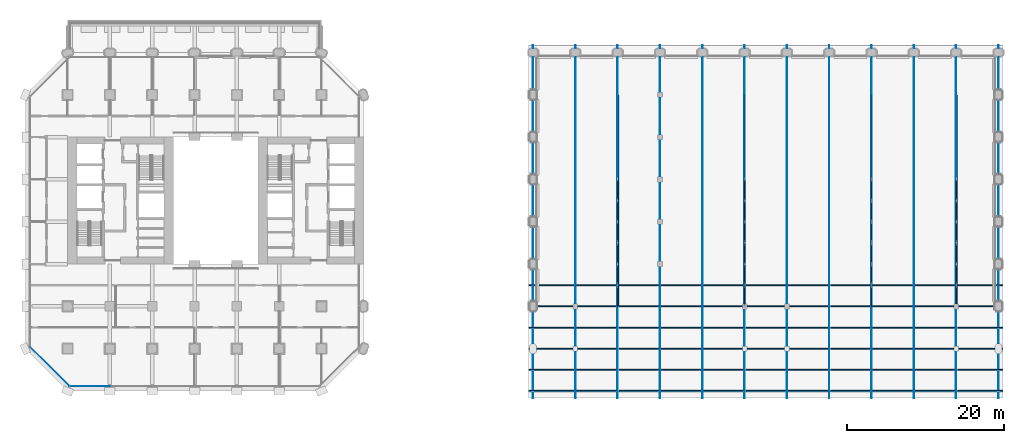
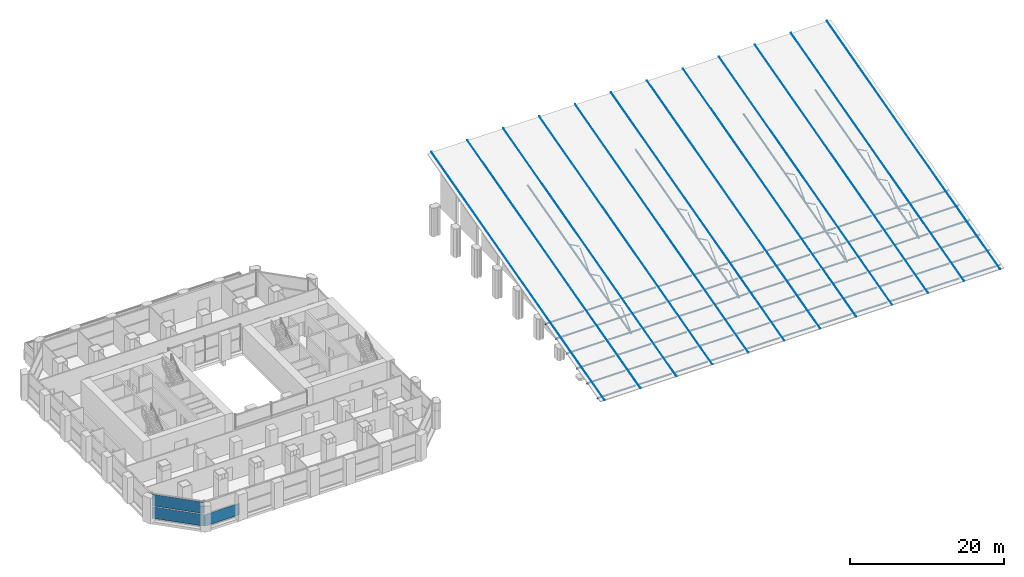
# One storey, part 10 of 23: 106 members, 3 plates, 2 elements without a shape of their own.
"""IFC4 building model written with IfcOpenShell, lengths in metres."""

from ifc_helpers import new_model, si_unit, direction, frame, origin, origin_2d, place, context, subcontext, project, spatial, rectangle, hollow_circle, i_section, extrude, material, layer, layer_set, material_profile, profile_set, type_object, element, aggregate, save


model = new_model("IFC4")

# Units and contexts
model_context = context("Model", 3, precision=1e-05, world=origin(), true_north=direction((0.0, 1.0)))
body_context = subcontext(model_context, "Body", "Model", "MODEL_VIEW")
ifc_project = project(units=[si_unit("LENGTHUNIT", "METRE"), si_unit("AREAUNIT", "SQUARE_METRE"), si_unit("VOLUMEUNIT", "CUBIC_METRE"), si_unit("PLANEANGLEUNIT", "RADIAN"), si_unit("MASSUNIT", "GRAM", prefix="KILO")], contexts=[model_context])

# Site, building, storey
site_placement = place(None, origin())
site = spatial("IfcSite", under=ifc_project, at=site_placement, CompositionType="ELEMENT")
building_placement = place(site_placement, origin())
building = spatial("IfcBuilding", under=site, at=building_placement, Name="Tabaq Tower and Sports Hall", CompositionType="ELEMENT")
storey_placement = place(building_placement, frame((0.0, 0.0, 24.60009765625)))
storey = spatial("IfcBuildingStorey", under=building, at=storey_placement, Name="L04", CompositionType="ELEMENT", Elevation=24.60009765625)

# Members
ifc_material_1 = material(Name="Steel S355", Category="steel")
ifc_material_profile_1 = material_profile(ifc_material_1, i_section(OverallWidth=0.14599609375, OverallDepth=0.25146484375, WebThickness=0.006103515625, FlangeThickness=0.008544921875, FilletRadius=0.007568359375, at=origin_2d()), Name="UB 254x146x31")
ifc_profile_set_1 = profile_set([ifc_material_profile_1], Name="Steel S355")
member_type_1 = type_object("IfcMemberType", Name="HALL PURLIN UB 254x146x31", PredefinedType="PURLIN", material=ifc_profile_set_1)
for number, where, z_axis, x_axis, name in (
    (1, (64.199951171875, 0.0, 0.314453125), (1.0, 0.0, 0.0), (0.0, 0.965925826289, 0.258819045103), "Roof purlin 13-01"),
    (2, (64.199951171875, 2.699951171875, 1.037841796875), (1.0, 0.0, 0.0), (0.0, 0.965925826289, 0.258819045103), "Roof purlin 13-02"),
    (3, (64.199951171875, 5.39990234375, 1.761474609375), (1.0, 0.0, 0.0), (0.0, 0.965925826289, 0.258819045103), "Roof purlin 13-03"),
    (4, (64.199951171875, 8.10009765625, 2.48486328125), (1.0, 0.0, 0.0), (0.0, 0.965925826289, 0.258819045103), "Roof purlin 13-04"),
    (5, (64.199951171875, 10.800048828125, 3.208251953125), (1.0, 0.0, 0.0), (0.0, 0.965925826289, 0.258819045103), "Roof purlin 13-05"),
    (6, (64.199951171875, 13.5, 3.931884765625), (1.0, 0.0, 0.0), (0.0, 0.965925826289, 0.258819045103), "Roof purlin 13-06"),
):
    element("IfcMember", number, at=place(storey_placement, frame(where, z_axis=z_axis, x_axis=x_axis)), inside=storey, type_object=member_type_1, Name=name, PredefinedType="PURLIN", context=body_context, shape_type="SweptSolid", body=[
        extrude(i_section(OverallWidth=0.14599609375, OverallDepth=0.25146484375, WebThickness=0.006103515625, FlangeThickness=0.008544921875, FilletRadius=0.007568359375, at=origin_2d()), origin(), (0.0, 0.0, 1.0), 5.85009765625),
    ])
for number, where, z_axis, x_axis, name in (
    (7, (70.35009765625, 0.0, 0.314453125), (1.0, 0.0, 0.0), (0.0, 0.965925826289, 0.258819045103), "Roof purlin 14-01"),
    (8, (70.35009765625, 2.699951171875, 1.037841796875), (1.0, 0.0, 0.0), (0.0, 0.965925826289, 0.258819045103), "Roof purlin 14-02"),
    (9, (70.35009765625, 5.39990234375, 1.761474609375), (1.0, 0.0, 0.0), (0.0, 0.965925826289, 0.258819045103), "Roof purlin 14-03"),
    (10, (70.35009765625, 8.10009765625, 2.48486328125), (1.0, 0.0, 0.0), (0.0, 0.965925826289, 0.258819045103), "Roof purlin 14-04"),
    (11, (70.35009765625, 10.800048828125, 3.208251953125), (1.0, 0.0, 0.0), (0.0, 0.965925826289, 0.258819045103), "Roof purlin 14-05"),
    (12, (70.35009765625, 13.5, 3.931884765625), (1.0, 0.0, 0.0), (0.0, 0.965925826289, 0.258819045103), "Roof purlin 14-06"),
):
    element("IfcMember", number, at=place(storey_placement, frame(where, z_axis=z_axis, x_axis=x_axis)), inside=storey, type_object=member_type_1, Name=name, PredefinedType="PURLIN", context=body_context, shape_type="SweptSolid", body=[
        extrude(i_section(OverallWidth=0.14599609375, OverallDepth=0.25146484375, WebThickness=0.006103515625, FlangeThickness=0.008544921875, FilletRadius=0.007568359375, at=origin_2d()), origin(), (0.0, 0.0, 1.0), 5.099853515625),
    ])
for number, where, z_axis, x_axis, name in (
    (13, (75.75, 0.0, 0.314453125), (1.0, 0.0, 0.0), (0.0, 0.965925826289, 0.258819045103), "Roof purlin 15-01"),
    (14, (75.75, 2.699951171875, 1.037841796875), (1.0, 0.0, 0.0), (0.0, 0.965925826289, 0.258819045103), "Roof purlin 15-02"),
    (15, (75.75, 5.39990234375, 1.761474609375), (1.0, 0.0, 0.0), (0.0, 0.965925826289, 0.258819045103), "Roof purlin 15-03"),
    (16, (75.75, 8.10009765625, 2.48486328125), (1.0, 0.0, 0.0), (0.0, 0.965925826289, 0.258819045103), "Roof purlin 15-04"),
    (17, (75.75, 10.800048828125, 3.208251953125), (1.0, 0.0, 0.0), (0.0, 0.965925826289, 0.258819045103), "Roof purlin 15-05"),
    (18, (75.75, 13.5, 3.931884765625), (1.0, 0.0, 0.0), (0.0, 0.965925826289, 0.258819045103), "Roof purlin 15-06"),
    (19, (81.14990234375, 0.0, 0.314453125), (1.0, 0.0, 0.0), (0.0, 0.965925826289, 0.258819045103), "Roof purlin 16-01"),
    (20, (81.14990234375, 2.699951171875, 1.037841796875), (1.0, 0.0, 0.0), (0.0, 0.965925826289, 0.258819045103), "Roof purlin 16-02"),
    (21, (81.14990234375, 5.39990234375, 1.761474609375), (1.0, 0.0, 0.0), (0.0, 0.965925826289, 0.258819045103), "Roof purlin 16-03"),
    (22, (81.14990234375, 8.10009765625, 2.48486328125), (1.0, 0.0, 0.0), (0.0, 0.965925826289, 0.258819045103), "Roof purlin 16-04"),
    (23, (81.14990234375, 10.800048828125, 3.208251953125), (1.0, 0.0, 0.0), (0.0, 0.965925826289, 0.258819045103), "Roof purlin 16-05"),
    (24, (81.14990234375, 13.5, 3.931884765625), (1.0, 0.0, 0.0), (0.0, 0.965925826289, 0.258819045103), "Roof purlin 16-06"),
):
    element("IfcMember", number, at=place(storey_placement, frame(where, z_axis=z_axis, x_axis=x_axis)), inside=storey, type_object=member_type_1, Name=name, PredefinedType="PURLIN", context=body_context, shape_type="SweptSolid", body=[
        extrude(i_section(OverallWidth=0.14599609375, OverallDepth=0.25146484375, WebThickness=0.006103515625, FlangeThickness=0.008544921875, FilletRadius=0.007568359375, at=origin_2d()), origin(), (0.0, 0.0, 1.0), 5.10009765625),
    ])
for number, where, z_axis, x_axis, name in (
    (25, (86.550048828125, 0.0, 0.314453125), (1.0, 0.0, 0.0), (0.0, 0.965925826289, 0.258819045103), "Roof purlin 17-01"),
    (26, (86.550048828125, 2.699951171875, 1.037841796875), (1.0, 0.0, 0.0), (0.0, 0.965925826289, 0.258819045103), "Roof purlin 17-02"),
    (27, (86.550048828125, 5.39990234375, 1.761474609375), (1.0, 0.0, 0.0), (0.0, 0.965925826289, 0.258819045103), "Roof purlin 17-03"),
    (28, (86.550048828125, 8.10009765625, 2.48486328125), (1.0, 0.0, 0.0), (0.0, 0.965925826289, 0.258819045103), "Roof purlin 17-04"),
    (29, (86.550048828125, 10.800048828125, 3.208251953125), (1.0, 0.0, 0.0), (0.0, 0.965925826289, 0.258819045103), "Roof purlin 17-05"),
    (30, (86.550048828125, 13.5, 3.931884765625), (1.0, 0.0, 0.0), (0.0, 0.965925826289, 0.258819045103), "Roof purlin 17-06"),
):
    element("IfcMember", number, at=place(storey_placement, frame(where, z_axis=z_axis, x_axis=x_axis)), inside=storey, type_object=member_type_1, Name=name, PredefinedType="PURLIN", context=body_context, shape_type="SweptSolid", body=[
        extrude(i_section(OverallWidth=0.14599609375, OverallDepth=0.25146484375, WebThickness=0.006103515625, FlangeThickness=0.008544921875, FilletRadius=0.007568359375, at=origin_2d()), origin(), (0.0, 0.0, 1.0), 5.099853515625),
    ])
for number, where, z_axis, x_axis, name in (
    (31, (91.949951171875, 0.0, 0.314453125), (1.0, 0.0, 0.0), (0.0, 0.965925826289, 0.258819045103), "Roof purlin 18-01"),
    (32, (91.949951171875, 2.699951171875, 1.037841796875), (1.0, 0.0, 0.0), (0.0, 0.965925826289, 0.258819045103), "Roof purlin 18-02"),
    (33, (91.949951171875, 5.39990234375, 1.761474609375), (1.0, 0.0, 0.0), (0.0, 0.965925826289, 0.258819045103), "Roof purlin 18-03"),
    (34, (91.949951171875, 8.10009765625, 2.48486328125), (1.0, 0.0, 0.0), (0.0, 0.965925826289, 0.258819045103), "Roof purlin 18-04"),
    (35, (91.949951171875, 10.800048828125, 3.208251953125), (1.0, 0.0, 0.0), (0.0, 0.965925826289, 0.258819045103), "Roof purlin 18-05"),
    (36, (91.949951171875, 13.5, 3.931884765625), (1.0, 0.0, 0.0), (0.0, 0.965925826289, 0.258819045103), "Roof purlin 18-06"),
):
    element("IfcMember", number, at=place(storey_placement, frame(where, z_axis=z_axis, x_axis=x_axis)), inside=storey, type_object=member_type_1, Name=name, PredefinedType="PURLIN", context=body_context, shape_type="SweptSolid", body=[
        extrude(i_section(OverallWidth=0.14599609375, OverallDepth=0.25146484375, WebThickness=0.006103515625, FlangeThickness=0.008544921875, FilletRadius=0.007568359375, at=origin_2d()), origin(), (0.0, 0.0, 1.0), 5.10009765625),
    ])
for number, where, z_axis, x_axis, name in (
    (37, (97.35009765625, 0.0, 0.314453125), (1.0, 0.0, 0.0), (0.0, 0.965925826289, 0.258819045103), "Roof purlin 19-01"),
    (38, (97.35009765625, 2.699951171875, 1.037841796875), (1.0, 0.0, 0.0), (0.0, 0.965925826289, 0.258819045103), "Roof purlin 19-02"),
    (39, (97.35009765625, 5.39990234375, 1.761474609375), (1.0, 0.0, 0.0), (0.0, 0.965925826289, 0.258819045103), "Roof purlin 19-03"),
    (40, (97.35009765625, 8.10009765625, 2.48486328125), (1.0, 0.0, 0.0), (0.0, 0.965925826289, 0.258819045103), "Roof purlin 19-04"),
    (41, (97.35009765625, 10.800048828125, 3.208251953125), (1.0, 0.0, 0.0), (0.0, 0.965925826289, 0.258819045103), "Roof purlin 19-05"),
    (42, (97.35009765625, 13.5, 3.931884765625), (1.0, 0.0, 0.0), (0.0, 0.965925826289, 0.258819045103), "Roof purlin 19-06"),
):
    element("IfcMember", number, at=place(storey_placement, frame(where, z_axis=z_axis, x_axis=x_axis)), inside=storey, type_object=member_type_1, Name=name, PredefinedType="PURLIN", context=body_context, shape_type="SweptSolid", body=[
        extrude(i_section(OverallWidth=0.14599609375, OverallDepth=0.25146484375, WebThickness=0.006103515625, FlangeThickness=0.008544921875, FilletRadius=0.007568359375, at=origin_2d()), origin(), (0.0, 0.0, 1.0), 5.099853515625),
    ])
for number, where, z_axis, x_axis, name in (
    (43, (102.75, 0.0, 0.314453125), (1.0, 0.0, 0.0), (0.0, 0.965925826289, 0.258819045103), "Roof purlin 20-01"),
    (44, (102.75, 2.699951171875, 1.037841796875), (1.0, 0.0, 0.0), (0.0, 0.965925826289, 0.258819045103), "Roof purlin 20-02"),
    (45, (102.75, 5.39990234375, 1.761474609375), (1.0, 0.0, 0.0), (0.0, 0.965925826289, 0.258819045103), "Roof purlin 20-03"),
    (46, (102.75, 8.10009765625, 2.48486328125), (1.0, 0.0, 0.0), (0.0, 0.965925826289, 0.258819045103), "Roof purlin 20-04"),
    (47, (102.75, 10.800048828125, 3.208251953125), (1.0, 0.0, 0.0), (0.0, 0.965925826289, 0.258819045103), "Roof purlin 20-05"),
    (48, (102.75, 13.5, 3.931884765625), (1.0, 0.0, 0.0), (0.0, 0.965925826289, 0.258819045103), "Roof purlin 20-06"),
    (49, (108.14990234375, 0.0, 0.314453125), (1.0, 0.0, 0.0), (0.0, 0.965925826289, 0.258819045103), "Roof purlin 21-01"),
    (50, (108.14990234375, 2.699951171875, 1.037841796875), (1.0, 0.0, 0.0), (0.0, 0.965925826289, 0.258819045103), "Roof purlin 21-02"),
    (51, (108.14990234375, 5.39990234375, 1.761474609375), (1.0, 0.0, 0.0), (0.0, 0.965925826289, 0.258819045103), "Roof purlin 21-03"),
    (52, (108.14990234375, 8.10009765625, 2.48486328125), (1.0, 0.0, 0.0), (0.0, 0.965925826289, 0.258819045103), "Roof purlin 21-04"),
    (53, (108.14990234375, 10.800048828125, 3.208251953125), (1.0, 0.0, 0.0), (0.0, 0.965925826289, 0.258819045103), "Roof purlin 21-05"),
    (54, (108.14990234375, 13.5, 3.931884765625), (1.0, 0.0, 0.0), (0.0, 0.965925826289, 0.258819045103), "Roof purlin 21-06"),
):
    element("IfcMember", number, at=place(storey_placement, frame(where, z_axis=z_axis, x_axis=x_axis)), inside=storey, type_object=member_type_1, Name=name, PredefinedType="PURLIN", context=body_context, shape_type="SweptSolid", body=[
        extrude(i_section(OverallWidth=0.14599609375, OverallDepth=0.25146484375, WebThickness=0.006103515625, FlangeThickness=0.008544921875, FilletRadius=0.007568359375, at=origin_2d()), origin(), (0.0, 0.0, 1.0), 5.10009765625),
    ])
for number, where, z_axis, x_axis, name in (
    (55, (113.550048828125, 0.0, 0.314453125), (1.0, 0.0, 0.0), (0.0, 0.965925826289, 0.258819045103), "Roof purlin 22-01"),
    (56, (113.550048828125, 2.699951171875, 1.037841796875), (1.0, 0.0, 0.0), (0.0, 0.965925826289, 0.258819045103), "Roof purlin 22-02"),
    (57, (113.550048828125, 5.39990234375, 1.761474609375), (1.0, 0.0, 0.0), (0.0, 0.965925826289, 0.258819045103), "Roof purlin 22-03"),
    (58, (113.550048828125, 8.10009765625, 2.48486328125), (1.0, 0.0, 0.0), (0.0, 0.965925826289, 0.258819045103), "Roof purlin 22-04"),
    (59, (113.550048828125, 10.800048828125, 3.208251953125), (1.0, 0.0, 0.0), (0.0, 0.965925826289, 0.258819045103), "Roof purlin 22-05"),
    (60, (113.550048828125, 13.5, 3.931884765625), (1.0, 0.0, 0.0), (0.0, 0.965925826289, 0.258819045103), "Roof purlin 22-06"),
):
    element("IfcMember", number, at=place(storey_placement, frame(where, z_axis=z_axis, x_axis=x_axis)), inside=storey, type_object=member_type_1, Name=name, PredefinedType="PURLIN", context=body_context, shape_type="SweptSolid", body=[
        extrude(i_section(OverallWidth=0.14599609375, OverallDepth=0.25146484375, WebThickness=0.006103515625, FlangeThickness=0.008544921875, FilletRadius=0.007568359375, at=origin_2d()), origin(), (0.0, 0.0, 1.0), 5.099853515625),
    ])
for number, where, z_axis, x_axis, name in (
    (61, (118.949951171875, 0.0, 0.314453125), (1.0, 0.0, 0.0), (0.0, 0.965925826289, 0.258819045103), "Roof purlin 23-01"),
    (62, (118.949951171875, 2.699951171875, 1.037841796875), (1.0, 0.0, 0.0), (0.0, 0.965925826289, 0.258819045103), "Roof purlin 23-02"),
    (63, (118.949951171875, 5.39990234375, 1.761474609375), (1.0, 0.0, 0.0), (0.0, 0.965925826289, 0.258819045103), "Roof purlin 23-03"),
    (64, (118.949951171875, 8.10009765625, 2.48486328125), (1.0, 0.0, 0.0), (0.0, 0.965925826289, 0.258819045103), "Roof purlin 23-04"),
    (65, (118.949951171875, 10.800048828125, 3.208251953125), (1.0, 0.0, 0.0), (0.0, 0.965925826289, 0.258819045103), "Roof purlin 23-05"),
    (66, (118.949951171875, 13.5, 3.931884765625), (1.0, 0.0, 0.0), (0.0, 0.965925826289, 0.258819045103), "Roof purlin 23-06"),
):
    element("IfcMember", number, at=place(storey_placement, frame(where, z_axis=z_axis, x_axis=x_axis)), inside=storey, type_object=member_type_1, Name=name, PredefinedType="PURLIN", context=body_context, shape_type="SweptSolid", body=[
        extrude(i_section(OverallWidth=0.14599609375, OverallDepth=0.25146484375, WebThickness=0.006103515625, FlangeThickness=0.008544921875, FilletRadius=0.007568359375, at=origin_2d()), origin(), (0.0, 0.0, 1.0), 5.85009765625),
    ])
ifc_material_2 = material(Name="Steel S355", Category="steel")
ifc_material_profile_2 = material_profile(ifc_material_2, rectangle(XDim=0.06005859375, YDim=0.050048828125, at=origin_2d()), Name="FL 60x50")
ifc_profile_set_2 = profile_set([ifc_material_profile_2], Name="Steel S355")
member_type_2 = type_object("IfcMemberType", Name="HALL ROOF SEAM RIB FL 60x50", PredefinedType="STRINGER", material=ifc_profile_set_2)
for number, where, z_axis, x_axis, name in (
    (67, (64.800048828125, -0.89990234375, 0.38427734375), (0.0, 0.96592634398, 0.258817113045), (-1.0, 0.0, 0.0), "Roof seam rib 01"),
    (68, (70.199951171875, -0.89990234375, 0.38427734375), (0.0, 0.96592634398, 0.258817113045), (-1.0, 0.0, 0.0), "Roof seam rib 02"),
    (69, (75.60009765625, -0.89990234375, 0.38427734375), (0.0, 0.96592634398, 0.258817113045), (-1.0, 0.0, 0.0), "Roof seam rib 03"),
    (70, (81.0, -0.89990234375, 0.38427734375), (0.0, 0.96592634398, 0.258817113045), (-1.0, 0.0, 0.0), "Roof seam rib 04"),
    (71, (86.39990234375, -0.89990234375, 0.38427734375), (0.0, 0.96592634398, 0.258817113045), (-1.0, 0.0, 0.0), "Roof seam rib 05"),
    (72, (91.800048828125, -0.89990234375, 0.38427734375), (0.0, 0.96592634398, 0.258817113045), (-1.0, 0.0, 0.0), "Roof seam rib 06"),
    (73, (97.199951171875, -0.89990234375, 0.38427734375), (0.0, 0.96592634398, 0.258817113045), (-1.0, 0.0, 0.0), "Roof seam rib 07"),
    (74, (102.60009765625, -0.89990234375, 0.38427734375), (0.0, 0.96592634398, 0.258817113045), (-1.0, 0.0, 0.0), "Roof seam rib 08"),
    (75, (108.0, -0.89990234375, 0.38427734375), (0.0, 0.96592634398, 0.258817113045), (-1.0, 0.0, 0.0), "Roof seam rib 09"),
    (76, (113.39990234375, -0.89990234375, 0.38427734375), (0.0, 0.96592634398, 0.258817113045), (-1.0, 0.0, 0.0), "Roof seam rib 10"),
    (77, (118.800048828125, -0.89990234375, 0.38427734375), (0.0, 0.96592634398, 0.258817113045), (-1.0, 0.0, 0.0), "Roof seam rib 11"),
    (78, (124.199951171875, -0.89990234375, 0.38427734375), (0.0, 0.96592634398, 0.258817113045), (-1.0, 0.0, 0.0), "Roof seam rib 12"),
):
    element("IfcMember", number, at=place(storey_placement, frame(where, z_axis=z_axis, x_axis=x_axis)), inside=storey, type_object=member_type_2, Name=name, PredefinedType="STRINGER", context=body_context, shape_type="SweptSolid", body=[
        extrude(rectangle(XDim=0.06005859375, YDim=0.050048828125, at=origin_2d()), origin(), (0.0, 0.0, 1.0), 46.58740234375),
    ])
ifc_material_3 = material(Name="Steel S355", Category="steel")
ifc_material_profile_3 = material_profile(ifc_material_3, hollow_circle(Radius=0.136474609375, WallThickness=0.012451171875, at=origin_2d()), Name="CHS 273.1x12.5")
ifc_profile_set_3 = profile_set([ifc_material_profile_3], Name="Steel S355")
member_type_3 = type_object("IfcMemberType", Name="HALL TRUSS CHORD CHS 273.1x12.5", PredefinedType="CHORD", material=ifc_profile_set_3)
for number, where, z_axis, x_axis, name in (
    (79, (75.60009765625, 10.800048828125, 0.015869140625), (0.0, 0.965925907275, 0.258818742859), (-1.0, 0.0, 0.0), "Roof truss 1 bottom chord"),
    (80, (91.800048828125, 10.800048828125, 0.015869140625), (0.0, 0.965925907275, 0.258818742859), (-1.0, 0.0, 0.0), "Roof truss 2 bottom chord"),
    (81, (108.0, 10.800048828125, 0.015869140625), (0.0, 0.965925907275, 0.258818742859), (-1.0, 0.0, 0.0), "Roof truss 3 bottom chord"),
    (82, (118.800048828125, 10.800048828125, 0.015869140625), (0.0, 0.965925907275, 0.258818742859), (-1.0, 0.0, 0.0), "Roof truss 4 bottom chord"),
):
    element("IfcMember", number, at=place(storey_placement, frame(where, z_axis=z_axis, x_axis=x_axis)), inside=storey, type_object=member_type_3, Name=name, PredefinedType="CHORD", context=body_context, shape_type="SweptSolid", body=[
        extrude(hollow_circle(Radius=0.136474609375, WallThickness=0.012451171875, at=origin_2d()), origin(), (0.0, 0.0, 1.0), 27.952392578125),
    ])
ifc_material_4 = material(Name="Steel S355", Category="steel")
ifc_material_profile_4 = material_profile(ifc_material_4, hollow_circle(Radius=0.084228515625, WallThickness=0.008056640625, at=origin_2d()), Name="CHS 168.3x8")
ifc_profile_set_4 = profile_set([ifc_material_profile_4], Name="Steel S355")
member_type_4 = type_object("IfcMemberType", Name="HALL TRUSS WEB CHS 168.3x8", PredefinedType="BRACE", material=ifc_profile_set_4)
member_1_placement = place(storey_placement, frame((75.60009765625, 10.800048828125, 0.15234375), z_axis=(0.0, 0.710527718456, 0.703669212987), x_axis=(-1.0, 0.0, 0.0)))
element("IfcMember", 83, at=member_1_placement, inside=storey, type_object=member_type_4, Name="Roof truss 1 diagonal 01", PredefinedType="BRACE", context=body_context, shape_type="SweptSolid", body=[
    extrude(hollow_circle(Radius=0.084228515625, WallThickness=0.008056640625, at=origin_2d()), origin(), (0.0, 0.0, 1.0), 3.630859375),
])
member_2_placement = place(storey_placement, frame((75.60009765625, 13.6201171875, 2.771484375), z_axis=(0.0, 0.898139584621, -0.439710457616), x_axis=(-1.0, 0.0, 0.0)))
element("IfcMember", 84, at=member_2_placement, inside=storey, type_object=member_type_4, Name="Roof truss 1 diagonal 02", PredefinedType="BRACE", context=body_context, shape_type="SweptSolid", body=[
    extrude(hollow_circle(Radius=0.084228515625, WallThickness=0.008056640625, at=origin_2d()), origin(), (0.0, 0.0, 1.0), 2.739013671875),
])
member_3_placement = place(storey_placement, frame((75.60009765625, 16.320068359375, 1.631591796875), z_axis=(0.0, 0.698181833913, 0.715920475188), x_axis=(-1.0, 0.0, 0.0)))
element("IfcMember", 85, at=member_3_placement, inside=storey, type_object=member_type_4, Name="Roof truss 1 diagonal 03", PredefinedType="BRACE", context=body_context, shape_type="SweptSolid", body=[
    extrude(hollow_circle(Radius=0.084228515625, WallThickness=0.008056640625, at=origin_2d()), origin(), (0.0, 0.0, 1.0), 3.5234375),
])
member_4_placement = place(storey_placement, frame((75.60009765625, 19.02001953125, 4.218505859375), z_axis=(0.0, 0.898139584621, -0.439710457616), x_axis=(-1.0, 0.0, 0.0)))
element("IfcMember", 86, at=member_4_placement, inside=storey, type_object=member_type_4, Name="Roof truss 1 diagonal 04", PredefinedType="BRACE", context=body_context, shape_type="SweptSolid", body=[
    extrude(hollow_circle(Radius=0.084228515625, WallThickness=0.008056640625, at=origin_2d()), origin(), (0.0, 0.0, 1.0), 2.739013671875),
])
member_5_placement = place(storey_placement, frame((75.60009765625, 21.719970703125, 3.078369140625), z_axis=(0.0, 0.698147199932, 0.715954249395), x_axis=(-1.0, 0.0, 0.0)))
element("IfcMember", 87, at=member_5_placement, inside=storey, type_object=member_type_4, Name="Roof truss 1 diagonal 05", PredefinedType="BRACE", context=body_context, shape_type="SweptSolid", body=[
    extrude(hollow_circle(Radius=0.084228515625, WallThickness=0.008056640625, at=origin_2d()), origin(), (0.0, 0.0, 1.0), 3.5234375),
])
member_6_placement = place(storey_placement, frame((75.60009765625, 24.419921875, 5.665283203125), z_axis=(0.0, 0.898174785039, -0.439638550994), x_axis=(-1.0, 0.0, 0.0)))
element("IfcMember", 88, at=member_6_placement, inside=storey, type_object=member_type_4, Name="Roof truss 1 diagonal 06", PredefinedType="BRACE", context=body_context, shape_type="SweptSolid", body=[
    extrude(hollow_circle(Radius=0.084228515625, WallThickness=0.008056640625, at=origin_2d()), origin(), (0.0, 0.0, 1.0), 2.73876953125),
])
member_7_placement = place(storey_placement, frame((91.800048828125, 10.800048828125, 0.15234375), z_axis=(0.0, 0.710527718456, 0.703669212987), x_axis=(-1.0, 0.0, 0.0)))
element("IfcMember", 89, at=member_7_placement, inside=storey, type_object=member_type_4, Name="Roof truss 2 diagonal 01", PredefinedType="BRACE", context=body_context, shape_type="SweptSolid", body=[
    extrude(hollow_circle(Radius=0.084228515625, WallThickness=0.008056640625, at=origin_2d()), origin(), (0.0, 0.0, 1.0), 3.630859375),
])
member_8_placement = place(storey_placement, frame((91.800048828125, 13.6201171875, 2.771484375), z_axis=(0.0, 0.898139584621, -0.439710457616), x_axis=(-1.0, 0.0, 0.0)))
element("IfcMember", 90, at=member_8_placement, inside=storey, type_object=member_type_4, Name="Roof truss 2 diagonal 02", PredefinedType="BRACE", context=body_context, shape_type="SweptSolid", body=[
    extrude(hollow_circle(Radius=0.084228515625, WallThickness=0.008056640625, at=origin_2d()), origin(), (0.0, 0.0, 1.0), 2.739013671875),
])
member_9_placement = place(storey_placement, frame((91.800048828125, 16.320068359375, 1.631591796875), z_axis=(0.0, 0.698181833913, 0.715920475188), x_axis=(-1.0, 0.0, 0.0)))
element("IfcMember", 91, at=member_9_placement, inside=storey, type_object=member_type_4, Name="Roof truss 2 diagonal 03", PredefinedType="BRACE", context=body_context, shape_type="SweptSolid", body=[
    extrude(hollow_circle(Radius=0.084228515625, WallThickness=0.008056640625, at=origin_2d()), origin(), (0.0, 0.0, 1.0), 3.5234375),
])
member_10_placement = place(storey_placement, frame((91.800048828125, 19.02001953125, 4.218505859375), z_axis=(0.0, 0.898139584621, -0.439710457616), x_axis=(-1.0, 0.0, 0.0)))
element("IfcMember", 92, at=member_10_placement, inside=storey, type_object=member_type_4, Name="Roof truss 2 diagonal 04", PredefinedType="BRACE", context=body_context, shape_type="SweptSolid", body=[
    extrude(hollow_circle(Radius=0.084228515625, WallThickness=0.008056640625, at=origin_2d()), origin(), (0.0, 0.0, 1.0), 2.739013671875),
])
member_11_placement = place(storey_placement, frame((91.800048828125, 21.719970703125, 3.078369140625), z_axis=(0.0, 0.698147199932, 0.715954249395), x_axis=(-1.0, 0.0, 0.0)))
element("IfcMember", 93, at=member_11_placement, inside=storey, type_object=member_type_4, Name="Roof truss 2 diagonal 05", PredefinedType="BRACE", context=body_context, shape_type="SweptSolid", body=[
    extrude(hollow_circle(Radius=0.084228515625, WallThickness=0.008056640625, at=origin_2d()), origin(), (0.0, 0.0, 1.0), 3.5234375),
])
member_12_placement = place(storey_placement, frame((91.800048828125, 24.419921875, 5.665283203125), z_axis=(0.0, 0.898174785039, -0.439638550994), x_axis=(-1.0, 0.0, 0.0)))
element("IfcMember", 94, at=member_12_placement, inside=storey, type_object=member_type_4, Name="Roof truss 2 diagonal 06", PredefinedType="BRACE", context=body_context, shape_type="SweptSolid", body=[
    extrude(hollow_circle(Radius=0.084228515625, WallThickness=0.008056640625, at=origin_2d()), origin(), (0.0, 0.0, 1.0), 2.73876953125),
])
member_13_placement = place(storey_placement, frame((108.0, 10.800048828125, 0.15234375), z_axis=(0.0, 0.710527718456, 0.703669212987), x_axis=(-1.0, 0.0, 0.0)))
element("IfcMember", 95, at=member_13_placement, inside=storey, type_object=member_type_4, Name="Roof truss 3 diagonal 01", PredefinedType="BRACE", context=body_context, shape_type="SweptSolid", body=[
    extrude(hollow_circle(Radius=0.084228515625, WallThickness=0.008056640625, at=origin_2d()), origin(), (0.0, 0.0, 1.0), 3.630859375),
])
member_14_placement = place(storey_placement, frame((108.0, 13.6201171875, 2.771484375), z_axis=(0.0, 0.898139584621, -0.439710457616), x_axis=(-1.0, 0.0, 0.0)))
element("IfcMember", 96, at=member_14_placement, inside=storey, type_object=member_type_4, Name="Roof truss 3 diagonal 02", PredefinedType="BRACE", context=body_context, shape_type="SweptSolid", body=[
    extrude(hollow_circle(Radius=0.084228515625, WallThickness=0.008056640625, at=origin_2d()), origin(), (0.0, 0.0, 1.0), 2.739013671875),
])
member_15_placement = place(storey_placement, frame((108.0, 16.320068359375, 1.631591796875), z_axis=(0.0, 0.698181833913, 0.715920475188), x_axis=(-1.0, 0.0, 0.0)))
element("IfcMember", 97, at=member_15_placement, inside=storey, type_object=member_type_4, Name="Roof truss 3 diagonal 03", PredefinedType="BRACE", context=body_context, shape_type="SweptSolid", body=[
    extrude(hollow_circle(Radius=0.084228515625, WallThickness=0.008056640625, at=origin_2d()), origin(), (0.0, 0.0, 1.0), 3.5234375),
])
member_16_placement = place(storey_placement, frame((108.0, 19.02001953125, 4.218505859375), z_axis=(0.0, 0.898139584621, -0.439710457616), x_axis=(-1.0, 0.0, 0.0)))
element("IfcMember", 98, at=member_16_placement, inside=storey, type_object=member_type_4, Name="Roof truss 3 diagonal 04", PredefinedType="BRACE", context=body_context, shape_type="SweptSolid", body=[
    extrude(hollow_circle(Radius=0.084228515625, WallThickness=0.008056640625, at=origin_2d()), origin(), (0.0, 0.0, 1.0), 2.739013671875),
])
member_17_placement = place(storey_placement, frame((108.0, 21.719970703125, 3.078369140625), z_axis=(0.0, 0.698147199932, 0.715954249395), x_axis=(-1.0, 0.0, 0.0)))
element("IfcMember", 99, at=member_17_placement, inside=storey, type_object=member_type_4, Name="Roof truss 3 diagonal 05", PredefinedType="BRACE", context=body_context, shape_type="SweptSolid", body=[
    extrude(hollow_circle(Radius=0.084228515625, WallThickness=0.008056640625, at=origin_2d()), origin(), (0.0, 0.0, 1.0), 3.5234375),
])
member_18_placement = place(storey_placement, frame((108.0, 24.419921875, 5.665283203125), z_axis=(0.0, 0.898174785039, -0.439638550994), x_axis=(-1.0, 0.0, 0.0)))
element("IfcMember", 100, at=member_18_placement, inside=storey, type_object=member_type_4, Name="Roof truss 3 diagonal 06", PredefinedType="BRACE", context=body_context, shape_type="SweptSolid", body=[
    extrude(hollow_circle(Radius=0.084228515625, WallThickness=0.008056640625, at=origin_2d()), origin(), (0.0, 0.0, 1.0), 2.73876953125),
])
member_19_placement = place(storey_placement, frame((118.800048828125, 10.800048828125, 0.15234375), z_axis=(0.0, 0.710527718456, 0.703669212987), x_axis=(-1.0, 0.0, 0.0)))
element("IfcMember", 101, at=member_19_placement, inside=storey, type_object=member_type_4, Name="Roof truss 4 diagonal 01", PredefinedType="BRACE", context=body_context, shape_type="SweptSolid", body=[
    extrude(hollow_circle(Radius=0.084228515625, WallThickness=0.008056640625, at=origin_2d()), origin(), (0.0, 0.0, 1.0), 3.630859375),
])
member_20_placement = place(storey_placement, frame((118.800048828125, 13.6201171875, 2.771484375), z_axis=(0.0, 0.898139584621, -0.439710457616), x_axis=(-1.0, 0.0, 0.0)))
element("IfcMember", 102, at=member_20_placement, inside=storey, type_object=member_type_4, Name="Roof truss 4 diagonal 02", PredefinedType="BRACE", context=body_context, shape_type="SweptSolid", body=[
    extrude(hollow_circle(Radius=0.084228515625, WallThickness=0.008056640625, at=origin_2d()), origin(), (0.0, 0.0, 1.0), 2.739013671875),
])
member_21_placement = place(storey_placement, frame((118.800048828125, 16.320068359375, 1.631591796875), z_axis=(0.0, 0.698181833913, 0.715920475188), x_axis=(-1.0, 0.0, 0.0)))
element("IfcMember", 103, at=member_21_placement, inside=storey, type_object=member_type_4, Name="Roof truss 4 diagonal 03", PredefinedType="BRACE", context=body_context, shape_type="SweptSolid", body=[
    extrude(hollow_circle(Radius=0.084228515625, WallThickness=0.008056640625, at=origin_2d()), origin(), (0.0, 0.0, 1.0), 3.5234375),
])
member_22_placement = place(storey_placement, frame((118.800048828125, 19.02001953125, 4.218505859375), z_axis=(0.0, 0.898139584621, -0.439710457616), x_axis=(-1.0, 0.0, 0.0)))
element("IfcMember", 104, at=member_22_placement, inside=storey, type_object=member_type_4, Name="Roof truss 4 diagonal 04", PredefinedType="BRACE", context=body_context, shape_type="SweptSolid", body=[
    extrude(hollow_circle(Radius=0.084228515625, WallThickness=0.008056640625, at=origin_2d()), origin(), (0.0, 0.0, 1.0), 2.739013671875),
])
member_23_placement = place(storey_placement, frame((118.800048828125, 21.719970703125, 3.078369140625), z_axis=(0.0, 0.698147199932, 0.715954249395), x_axis=(-1.0, 0.0, 0.0)))
element("IfcMember", 105, at=member_23_placement, inside=storey, type_object=member_type_4, Name="Roof truss 4 diagonal 05", PredefinedType="BRACE", context=body_context, shape_type="SweptSolid", body=[
    extrude(hollow_circle(Radius=0.084228515625, WallThickness=0.008056640625, at=origin_2d()), origin(), (0.0, 0.0, 1.0), 3.5234375),
])
member_24_placement = place(storey_placement, frame((118.800048828125, 24.419921875, 5.665283203125), z_axis=(0.0, 0.898174785039, -0.439638550994), x_axis=(-1.0, 0.0, 0.0)))
element("IfcMember", 106, at=member_24_placement, inside=storey, type_object=member_type_4, Name="Roof truss 4 diagonal 06", PredefinedType="BRACE", context=body_context, shape_type="SweptSolid", body=[
    extrude(hollow_circle(Radius=0.084228515625, WallThickness=0.008056640625, at=origin_2d()), origin(), (0.0, 0.0, 1.0), 2.73876953125),
])

# Curtain wall, plate
ifc_material_5 = material(Name="Aluminium alloy 6063-T6 framed glazing", Category="aluminium")
curtain_wall_type = type_object("IfcCurtainWallType", Name="CW7 curtain wall", PredefinedType="USERDEFINED", material=ifc_material_5)
curtain_wall_1_placement = place(storey_placement, origin())
curtain_wall_1 = element("IfcCurtainWall", 107, at=curtain_wall_1_placement, inside=storey, type_object=curtain_wall_type, Name="Podium Wall L04 S", ObjectType="PODIUM WALL", PredefinedType="USERDEFINED")
ifc_material_6 = material(Name="Clear low-emissivity glass 28 mm", Category="glass")
ifc_layer = layer(ifc_material_6, 0.030029296875)
ifc_layer_set = layer_set([ifc_layer], Name="CW7 glass panel 30")
plate_type = type_object("IfcPlateType", Name="CW7 glass panel 30", PredefinedType="CURTAIN_PANEL", material=ifc_layer_set)
plate_1_placement = place(storey_placement, frame((8.271484375, 0.60009765625, 0.1396484375), z_axis=(0.0, 0.0, 1.0), x_axis=(1.0, 0.0, 0.0)))
plate_1 = element("IfcPlate", 108, at=plate_1_placement, type_object=plate_type, Name="CW7 panel 1.1", PredefinedType="CURTAIN_PANEL", context=body_context, shape_type="SweptSolid", body=[
    extrude(rectangle(XDim=5.240478515625, YDim=0.030029296875, at=origin_2d()), origin(), (0.0, 0.0, 1.0), 1.840087890625),
])
aggregate(curtain_wall_1, [plate_1])

# Curtain wall, plates
curtain_wall_2_placement = place(storey_placement, origin())
curtain_wall_2 = element("IfcCurtainWall", 109, at=curtain_wall_2_placement, inside=storey, type_object=curtain_wall_type, Name="Podium Wall L04 SW", ObjectType="PODIUM WALL", PredefinedType="USERDEFINED")
plate_2_placement = place(storey_placement, frame((3.124267578125, 3.124267578125, 0.1396484375), z_axis=(0.0, 0.0, 1.0), x_axis=(0.707106781187, -0.707106781187, 0.0)))
plate_2 = element("IfcPlate", 110, at=plate_2_placement, type_object=plate_type, Name="CW7 panel 1.1", PredefinedType="CURTAIN_PANEL", context=body_context, shape_type="SweptSolid", body=[
    extrude(rectangle(XDim=7.009765625, YDim=0.030029296875, at=origin_2d()), origin(), (0.0, 0.0, 1.0), 1.840087890625),
])
plate_3_placement = place(storey_placement, frame((3.124267578125, 3.124267578125, 2.11962890625), z_axis=(0.0, 0.0, 1.0), x_axis=(0.707106781187, -0.707106781187, 0.0)))
plate_3 = element("IfcPlate", 111, at=plate_3_placement, type_object=plate_type, Name="CW7 panel 1.2", PredefinedType="CURTAIN_PANEL", context=body_context, shape_type="SweptSolid", body=[
    extrude(rectangle(XDim=7.009765625, YDim=0.030029296875, at=origin_2d()), origin(), (0.0, 0.0, 1.0), 1.840087890625),
])
aggregate(curtain_wall_2, [plate_2, plate_3])

save(model, "model.ifc")
